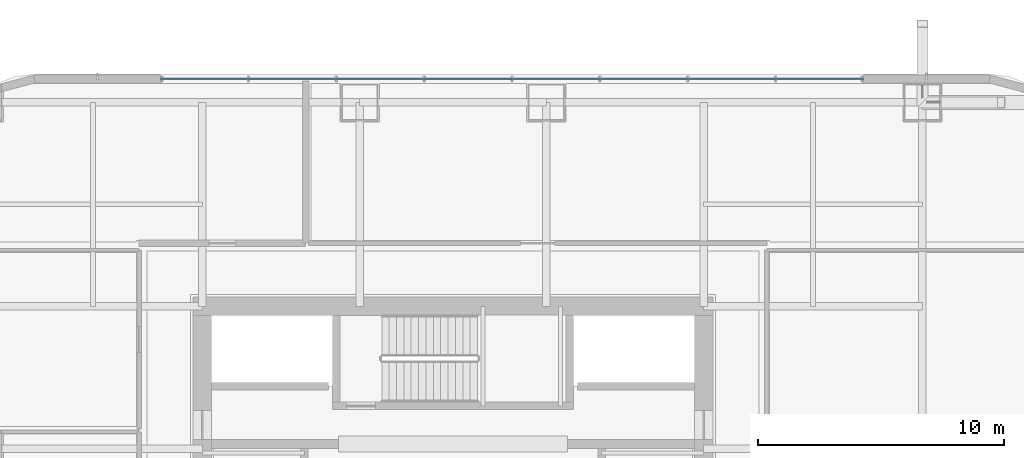
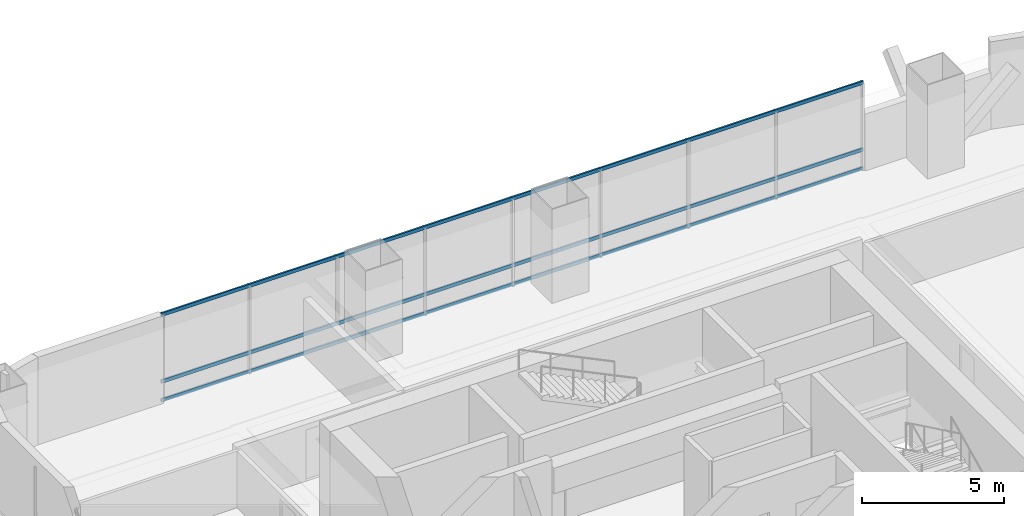
# One storey, part 21 of 42: 3 members, 1 element without a shape of its own.
"""IFC4 building model written with IfcOpenShell, lengths in metres."""

from ifc_helpers import new_model, si_unit, direction, frame, origin, origin_2d, place, context, subcontext, project, spatial, hollow_rectangle, extrude, material, material_profile, profile_set, type_object, element, aggregate, save


model = new_model("IFC4")

# Units and contexts
model_context = context("Model", 3, precision=1e-05, world=origin(), true_north=direction((0.0, 1.0)))
body_context = subcontext(model_context, "Body", "Model", "MODEL_VIEW")
ifc_project = project(units=[si_unit("LENGTHUNIT", "METRE"), si_unit("AREAUNIT", "SQUARE_METRE"), si_unit("VOLUMEUNIT", "CUBIC_METRE"), si_unit("PLANEANGLEUNIT", "RADIAN"), si_unit("MASSUNIT", "GRAM", prefix="KILO")], contexts=[model_context])

# Site, building, storey
site_placement = place(None, origin())
site = spatial("IfcSite", under=ifc_project, at=site_placement, CompositionType="ELEMENT")
building_placement = place(site_placement, origin())
building = spatial("IfcBuilding", under=site, at=building_placement, Name="Punatoya Terracotta Tower", CompositionType="ELEMENT")
storey_placement = place(building_placement, frame((0.0, 0.0, 88.949951171875)))
storey = spatial("IfcBuildingStorey", under=building, at=storey_placement, Name="L20", CompositionType="ELEMENT", Elevation=88.949951171875)

# Curtain wall, members
ifc_material_1 = material(Name="Aluminium 6063-T6 + Double Low-E Glass", Category="aluminium")
curtain_wall_type = type_object("IfcCurtainWallType", Name="CW-M1", PredefinedType="NOTDEFINED", material=ifc_material_1)
curtain_wall_placement = place(storey_placement, origin())
curtain_wall = element("IfcCurtainWall", 1, at=curtain_wall_placement, inside=storey, type_object=curtain_wall_type, Name="L20 Curtain Wall CW-L20-N09-1", PredefinedType="NOTDEFINED")
ifc_material_2 = material(Name="Aluminium 6063-T6", Category="aluminium")
ifc_material_profile = material_profile(ifc_material_2, hollow_rectangle(XDim=0.068115234375, YDim=0.14990234375, WallThickness=0.00390625, at=origin_2d()))
ifc_profile_set = profile_set([ifc_material_profile], Name="Aluminium 6063-T6")
member_type = type_object("IfcMemberType", Name="CW-TRN-TYP", PredefinedType="USERDEFINED", material=ifc_profile_set)
member_1_placement = place(storey_placement, frame((16.699951171875, 18.449951171875, 0.0400390625), z_axis=(-1.0, 0.0, 0.0), x_axis=(0.0, -1.0, 0.0)))
member_1 = element("IfcMember", 2, at=member_1_placement, type_object=member_type, Name="CW-L20-N09-1 Transom 1", ObjectType="TRANSOM", PredefinedType="USERDEFINED", context=body_context, shape_type="SweptSolid", body=[
    extrude(hollow_rectangle(XDim=0.068115234375, YDim=0.14990234375, WallThickness=0.00390625, at=origin_2d()), origin(), (0.0, 0.0, 1.0), 28.599853515625),
])
member_2_placement = place(storey_placement, frame((16.699951171875, 18.449951171875, 0.85009765625), z_axis=(-1.0, 0.0, 0.0), x_axis=(0.0, -1.0, 0.0)))
member_2 = element("IfcMember", 3, at=member_2_placement, type_object=member_type, Name="CW-L20-N09-1 Transom 2", ObjectType="TRANSOM", PredefinedType="USERDEFINED", context=body_context, shape_type="SweptSolid", body=[
    extrude(hollow_rectangle(XDim=0.068115234375, YDim=0.14990234375, WallThickness=0.00390625, at=origin_2d()), origin(), (0.0, 0.0, 1.0), 28.599853515625),
])
member_3_placement = place(storey_placement, frame((16.699951171875, 18.449951171875, 3.72998046875), z_axis=(-1.0, 0.0, 0.0), x_axis=(0.0, -1.0, 0.0)))
member_3 = element("IfcMember", 4, at=member_3_placement, type_object=member_type, Name="CW-L20-N09-1 Transom 3", ObjectType="TRANSOM", PredefinedType="USERDEFINED", context=body_context, shape_type="SweptSolid", body=[
    extrude(hollow_rectangle(XDim=0.068115234375, YDim=0.14990234375, WallThickness=0.00390625, at=origin_2d()), origin(), (0.0, 0.0, 1.0), 28.599853515625),
])
aggregate(curtain_wall, [member_1, member_2, member_3])

save(model, "model.ifc")
